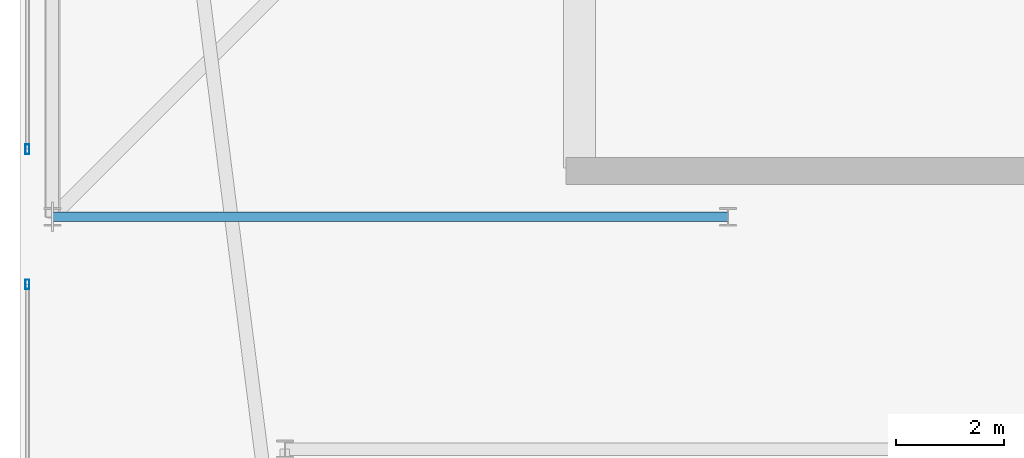
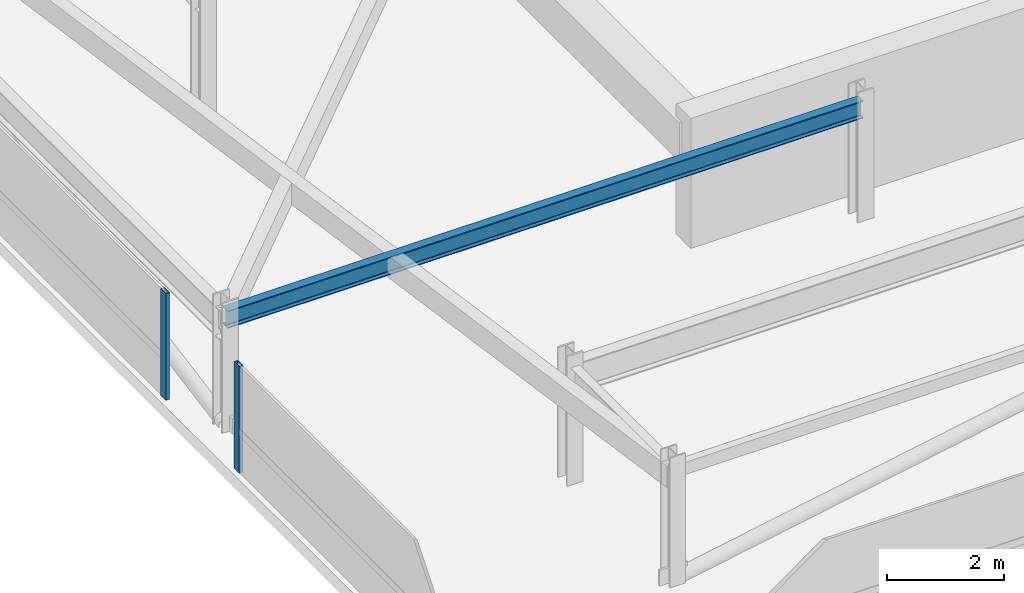
# One storey, part 9 of 42: 2 members, 1 beam, 2 elements without a shape of their own.
"""IFC4 building model written with IfcOpenShell, lengths in metres."""

from ifc_helpers import new_model, si_unit, direction, frame, origin, origin_2d, place, context, subcontext, project, spatial, hollow_rectangle, i_section, extrude, material, material_profile, profile_set, type_object, element, aggregate, save


model = new_model("IFC4")

# Units and contexts
model_context = context("Model", 3, precision=1e-05, world=origin(), true_north=direction((0.0, 1.0)))
body_context = subcontext(model_context, "Body", "Model", "MODEL_VIEW")
ifc_project = project(units=[si_unit("LENGTHUNIT", "METRE"), si_unit("AREAUNIT", "SQUARE_METRE"), si_unit("VOLUMEUNIT", "CUBIC_METRE"), si_unit("PLANEANGLEUNIT", "RADIAN"), si_unit("MASSUNIT", "GRAM", prefix="KILO")], contexts=[model_context])

# Site, building, storey
site_placement = place(None, origin())
site = spatial("IfcSite", under=ifc_project, at=site_placement, CompositionType="ELEMENT")
building_placement = place(site_placement, origin())
building = spatial("IfcBuilding", under=site, at=building_placement, Name="Thornwick Lancets Civic Towers", CompositionType="ELEMENT")
storey_placement = place(building_placement, frame((0.0, 0.0, 289.5)))
storey = spatial("IfcBuildingStorey", under=building, at=storey_placement, Name="C04", CompositionType="ELEMENT", Elevation=289.5)

# Beam
ifc_material_1 = material(Name="Steel S355JR", Category="steel")
ifc_material_profile_1 = material_profile(ifc_material_1, i_section(OverallWidth=0.173095703125, OverallDepth=0.36328125, WebThickness=0.009033203125, FlangeThickness=0.015625, FilletRadius=0.01025390625, at=origin_2d()), Name="UKB 356x171x67")
ifc_profile_set_1 = profile_set([ifc_material_profile_1], Name="Steel S355JR")
beam_type = type_object("IfcBeamType", Name="BM_JOIST_356_67", PredefinedType="JOIST", material=ifc_profile_set_1)
beam_placement = place(storey_placement, frame((20.699951171875, 14.0, 2.25830078125), z_axis=(-1.0, 0.0, 0.0), x_axis=(0.0, -1.0, 0.0)))
element("IfcBeam", 1, at=beam_placement, inside=storey, type_object=beam_type, Name="BM-RADIN-C04-A10", PredefinedType="JOIST", context=body_context, shape_type="SweptSolid", body=[
    extrude(i_section(OverallWidth=0.173095703125, OverallDepth=0.36328125, WebThickness=0.009033203125, FlangeThickness=0.015625, FilletRadius=0.01025390625, at=origin_2d()), origin(), (0.0, 0.0, 1.0), 12.5),
])

# Curtain wall, member
ifc_material_2 = material(Name="Crown ring acoustic-louvre and glazing screen wall", Category="glass")
curtain_wall_type = type_object("IfcCurtainWallType", Name="CW_SYS_07", PredefinedType="NOTDEFINED", material=ifc_material_2)
curtain_wall_1_placement = place(storey_placement, origin())
curtain_wall_1 = element("IfcCurtainWall", 2, at=curtain_wall_1_placement, inside=storey, type_object=curtain_wall_type, Name="C04 Curtain Wall CW-C04-A-E6-S2", PredefinedType="NOTDEFINED")
ifc_material_3 = material(Name="Thermally broken bronze aluminium S355", Category="steel")
ifc_material_profile_2 = material_profile(ifc_material_3, hollow_rectangle(XDim=0.074951171875, YDim=0.179931640625, WallThickness=0.006103515625, at=origin_2d()), Name="RHS 180x75x6")
ifc_profile_set_2 = profile_set([ifc_material_profile_2], Name="Thermally broken bronze aluminium S355")
member_type = type_object("IfcMemberType", Name="CW_MUL_180", PredefinedType="MULLION", material=ifc_profile_set_2)
member_1_placement = place(storey_placement, frame((7.7353515625, 15.25, 0.0), z_axis=(0.0, 0.0, 1.0), x_axis=(1.0, 0.0, 0.0)))
member_1 = element("IfcMember", 3, at=member_1_placement, type_object=member_type, Name="CW-C04-A-E6-S2 Mullion 1", PredefinedType="MULLION", context=body_context, shape_type="SweptSolid", body=[
    extrude(hollow_rectangle(XDim=0.074951171875, YDim=0.179931640625, WallThickness=0.006103515625, at=origin_2d()), origin(), (0.0, 0.0, 1.0), 2.219970703125),
])
aggregate(curtain_wall_1, [member_1])

curtain_wall_2_placement = place(storey_placement, origin())
curtain_wall_2 = element("IfcCurtainWall", 4, at=curtain_wall_2_placement, inside=storey, type_object=curtain_wall_type, Name="C04 Curtain Wall CW-C04-A-E6-S3", PredefinedType="NOTDEFINED")
member_2_placement = place(storey_placement, frame((7.7353515625, 12.75, 0.0), z_axis=(0.0, 0.0, 1.0), x_axis=(1.0, 0.0, 0.0)))
member_2 = element("IfcMember", 5, at=member_2_placement, type_object=member_type, Name="CW-C04-A-E6-S3 Mullion 0", PredefinedType="MULLION", context=body_context, shape_type="SweptSolid", body=[
    extrude(hollow_rectangle(XDim=0.074951171875, YDim=0.179931640625, WallThickness=0.006103515625, at=origin_2d()), origin(), (0.0, 0.0, 1.0), 2.219970703125),
])
aggregate(curtain_wall_2, [member_2])

save(model, "model.ifc")
